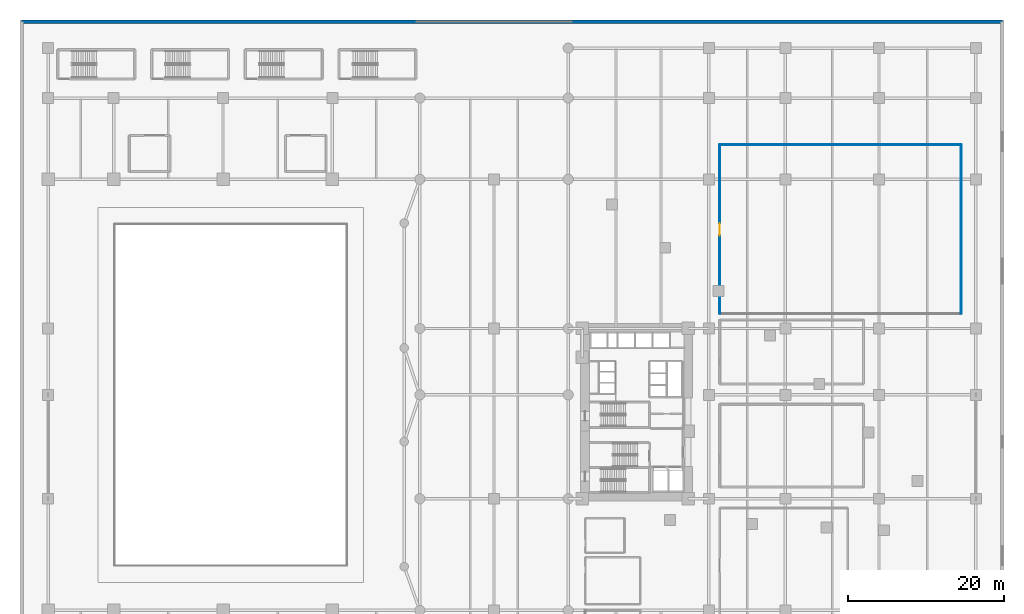
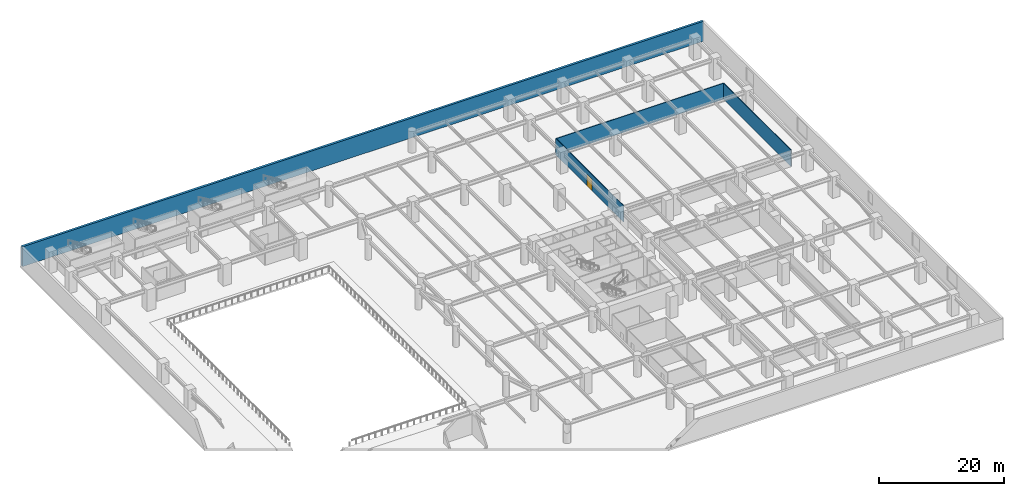
# One storey, part 11 of 22: 4 walls, 1 door, 1 opening.
"""IFC4 building model written with IfcOpenShell, lengths in metres."""

from ifc_helpers import new_model, si_unit, direction, frame, frame_2d, origin, place, context, subcontext, project, spatial, rectangle, extrude, material, layer, layer_set, type_object, element, fill, save


model = new_model("IFC4")

# Units and contexts
model_context = context("Model", 3, precision=1e-05, world=origin(), true_north=direction((0.0, 1.0)))
body_context = subcontext(model_context, "Body", "Model", "MODEL_VIEW")
ifc_project = project(units=[si_unit("LENGTHUNIT", "METRE"), si_unit("AREAUNIT", "SQUARE_METRE"), si_unit("VOLUMEUNIT", "CUBIC_METRE"), si_unit("PLANEANGLEUNIT", "RADIAN"), si_unit("MASSUNIT", "GRAM", prefix="KILO")], contexts=[model_context])

# Site, building, storey
site_placement = place(None, origin())
site = spatial("IfcSite", under=ifc_project, at=site_placement, CompositionType="ELEMENT")
building_placement = place(site_placement, origin())
building = spatial("IfcBuilding", under=site, at=building_placement, Name="Narakoshi Arena Tower", CompositionType="ELEMENT")
storey_placement = place(building_placement, frame((0.0, 0.0, 13.199951171875)))
storey = spatial("IfcBuildingStorey", under=building, at=storey_placement, Name="L03", CompositionType="ELEMENT", Elevation=13.199951171875)

# Walls
ifc_material_1 = material(Name="Gypsum plasterboard fire-rated partition")
ifc_layer_1 = layer(ifc_material_1, 0.125)
ifc_layer_set_1 = layer_set([ifc_layer_1], Name="Gypsum plasterboard fire-rated partition")
wall_type_1 = type_object("IfcWallType", Name="WL-PART-125", PredefinedType="PARTITIONING", material=ifc_layer_set_1)
wall_1_placement = place(storey_placement, frame((120.5, 58.39990234375, 0.0), z_axis=(0.0, 0.0, 1.0), x_axis=(0.0, 1.0, 0.0)))
element("IfcWall", 1, at=wall_1_placement, inside=storey, type_object=wall_type_1, Name="L03 Media Editing Workplace Wall E", PredefinedType="PARTITIONING", context=body_context, shape_type="SweptSolid", body=[
    extrude(rectangle(XDim=21.60009765625, YDim=0.125, at=frame_2d((10.800048828125, 0.0))), origin(), (0.0, 0.0, 1.0), 3.1650390625),
])
wall_2_placement = place(storey_placement, frame((120.5, 80.0, 0.0), z_axis=(0.0, 0.0, 1.0), x_axis=(-1.0, 0.0, 0.0)))
element("IfcWall", 2, at=wall_2_placement, inside=storey, type_object=wall_type_1, Name="L03 Media Editing Workplace Wall N", PredefinedType="PARTITIONING", context=body_context, shape_type="SweptSolid", body=[
    extrude(rectangle(XDim=30.89990234375, YDim=0.125, at=frame_2d((15.449951171875, 0.0))), origin(), (0.0, 0.0, 1.0), 3.1650390625),
])

# Wall, opening, door
wall_3_placement = place(storey_placement, frame((89.60009765625, 80.0, 0.0), z_axis=(0.0, 0.0, 1.0), x_axis=(0.0, -1.0, 0.0)))
wall_3 = element("IfcWall", 3, at=wall_3_placement, inside=storey, type_object=wall_type_1, Name="L03 Media Editing Workplace Wall W", PredefinedType="PARTITIONING", context=body_context, shape_type="SweptSolid", body=[
    extrude(rectangle(XDim=21.60009765625, YDim=0.125, at=frame_2d((10.800048828125, 0.0))), origin(), (0.0, 0.0, 1.0), 3.1650390625),
])
opening_placement = place(wall_3_placement, frame((10.0, 0.0, 0.0)))
opening = element("IfcOpeningElement", 4, at=opening_placement, cuts=wall_3, Name="Opening D-05", PredefinedType="OPENING", context=body_context, shape_type="SweptSolid", body=[
    extrude(rectangle(XDim=1.60009765625, YDim=2.300048828125, at=frame_2d((0.800048828125, 1.14990234375))), frame((0.0, 0.072509765625, 0.0), z_axis=(0.0, -1.0, 0.0), x_axis=(1.0, 0.0, 0.0)), (0.0, 0.0, 1.0), 0.14501953125),
])
ifc_material_2 = material(Name="Stained oak solid-core timber", Category="wood")
door_type = type_object("IfcDoorType", Name="DR-STE-1600", OperationType="DOUBLE_DOOR_SINGLE_SWING", PredefinedType="DOOR", material=ifc_material_2)
door_placement = place(opening_placement, frame((1.60009765625, 0.0, 0.0), z_axis=(0.0, 0.0, 1.0), x_axis=(-1.0, 0.0, 0.0)))
door = element("IfcDoor", 5, at=door_placement, inside=storey, type_object=door_type, Name="DR-L03-028", OperationType="DOUBLE_DOOR_SINGLE_SWING", OverallHeight=2.300048828125, OverallWidth=1.60009765625, PredefinedType="DOOR", context=body_context, shape_type="SweptSolid", body=[
    extrude(rectangle(XDim=1.60009765625, YDim=2.300048828125, at=frame_2d((0.800048828125, 1.14990234375))), frame((0.0, 0.02490234375, 0.0), z_axis=(0.0, -1.0, 0.0), x_axis=(1.0, 0.0, 0.0)), (0.0, 0.0, 1.0), 0.050048828125),
])
fill(opening, door)

# Wall
ifc_material_3 = material(Name="Precast concrete C45/55", Category="concrete")
ifc_layer_2 = layer(ifc_material_3, 0.419921875)
ifc_layer_set_2 = layer_set([ifc_layer_2], Name="Precast concrete C45/55")
wall_type_2 = type_object("IfcWallType", Name="WL-POD-420", PredefinedType="SOLIDWALL", material=ifc_layer_set_2)
wall_4_placement = place(storey_placement, frame((125.7900390625, 95.7900390625, 0.0), z_axis=(0.0, 0.0, 1.0), x_axis=(-1.0, 0.0, 0.0)))
element("IfcWall", 6, at=wall_4_placement, inside=storey, type_object=wall_type_2, Name="L03 Podium Precast Facade Wall N", PredefinedType="SOLIDWALL", context=body_context, shape_type="SweptSolid", body=[
    extrude(rectangle(XDim=125.580078125, YDim=0.419921875, at=frame_2d((62.7900390625, 0.0))), origin(), (0.0, 0.0, 1.0), 3.880126953125),
])

save(model, "model.ifc")
